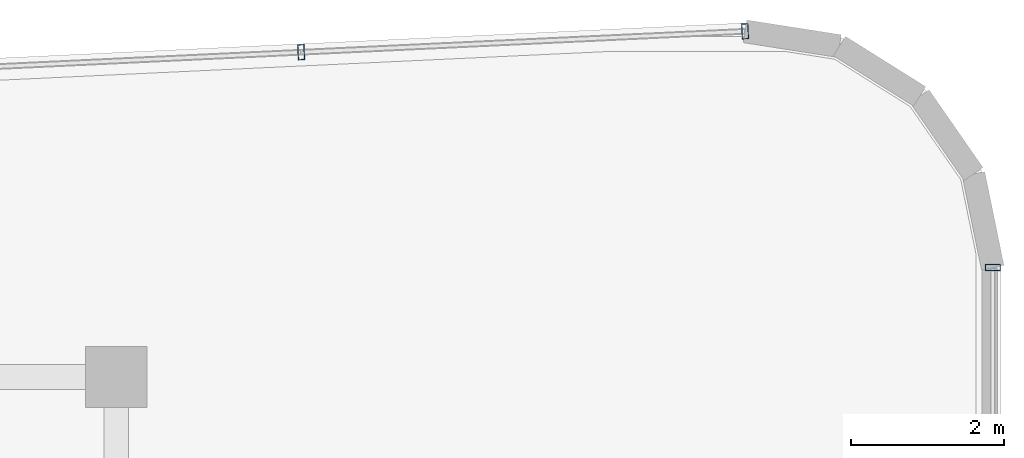
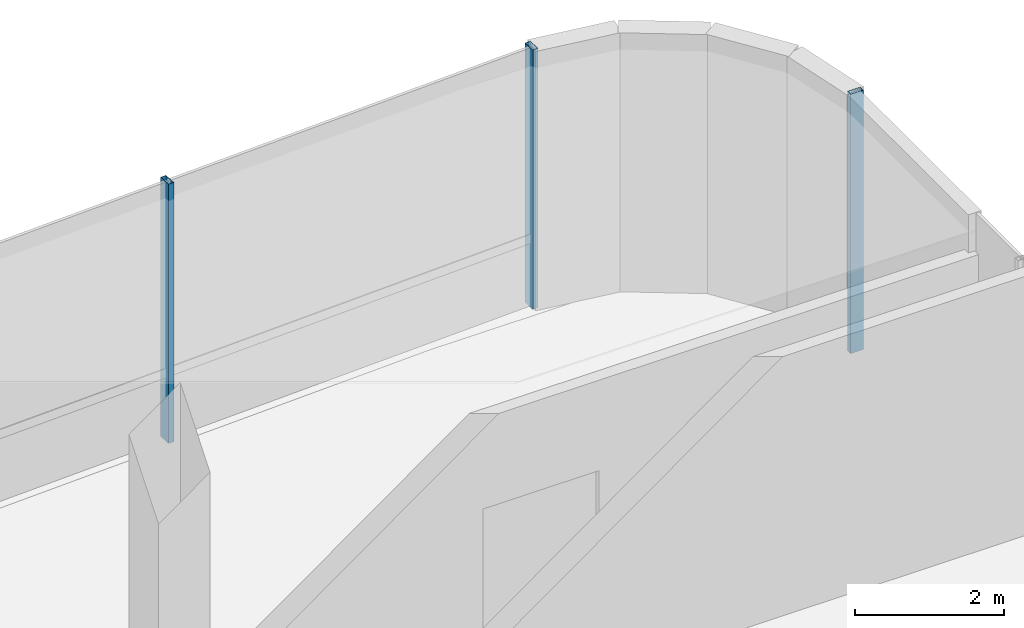
# One storey, part 14 of 19: 3 members, 2 elements without a shape of their own.
"""IFC4 building model written with IfcOpenShell, lengths in metres."""

from ifc_helpers import new_model, si_unit, direction, frame, origin, origin_2d, place, context, subcontext, project, spatial, hollow_rectangle, extrude, source, transform, mapped, material, material_profile, profile_set, type_object, element, aggregate, save


model = new_model("IFC4")

# Units and contexts
model_context = context("Model", 3, precision=1e-05, world=origin(), true_north=direction((0.0, 1.0)))
body_context = subcontext(model_context, "Body", "Model", "MODEL_VIEW")
ifc_project = project(units=[si_unit("LENGTHUNIT", "METRE"), si_unit("AREAUNIT", "SQUARE_METRE"), si_unit("VOLUMEUNIT", "CUBIC_METRE"), si_unit("PLANEANGLEUNIT", "RADIAN"), si_unit("MASSUNIT", "GRAM", prefix="KILO")], contexts=[model_context])

# Site, building, storey
site_placement = place(None, origin())
site = spatial("IfcSite", under=ifc_project, at=site_placement, CompositionType="ELEMENT")
building_placement = place(site_placement, origin())
building = spatial("IfcBuilding", under=site, at=building_placement, Name="Valdorenza Pilgrim Sanctuary Tower", CompositionType="ELEMENT")
storey_placement = place(building_placement, frame((0.0, 0.0, 261.5)))
storey = spatial("IfcBuildingStorey", under=building, at=storey_placement, Name="L68", CompositionType="ELEMENT", Elevation=261.5)

# Curtain wall, members
ifc_material_1 = material(Name="Curtain-wall IGU glazing", Category="glass")
curtain_wall_type = type_object("IfcCurtainWallType", Name="CW-SYS-02", PredefinedType="NOTDEFINED", material=ifc_material_1)
curtain_wall_1_placement = place(storey_placement, origin())
curtain_wall_1 = element("IfcCurtainWall", 1, at=curtain_wall_1_placement, inside=storey, type_object=curtain_wall_type, Name="L68 Curtain Wall CW-L68-1-6", PredefinedType="NOTDEFINED")
ifc_material_2 = material(Name="Anodised aluminium AW-6060", Category="aluminium")
ifc_material_profile = material_profile(ifc_material_2, hollow_rectangle(XDim=0.0849609375, YDim=0.199951171875, WallThickness=0.0048828125, at=origin_2d()), Name="ALU-M 200x85x5")
ifc_profile_set = profile_set([ifc_material_profile], Name="Anodised aluminium AW-6060")
member_type = type_object("IfcMemberType", Name="CW-MUL-02", PredefinedType="MULLION", material=ifc_profile_set)
shared_shape = source(origin(), body_context, "Body", "SweptSolid", [
    extrude(hollow_rectangle(XDim=0.0849609375, YDim=0.199951171875, WallThickness=0.0048828125, at=origin_2d()), origin(), (0.0, 0.0, 1.0), 4.260009765625),
])
member_1_placement = place(storey_placement, frame((-9.976318359375, 19.057373046875, 0.0), z_axis=(0.0, 0.0, 1.0), x_axis=(0.998890696972, 0.047089016785, 0.0)))
member_1 = element("IfcMember", 2, at=member_1_placement, type_object=member_type, Name="CW-L68-1-6 Mullion 4", PredefinedType="MULLION", context=body_context, shape_type="MappedRepresentation", body=[
    mapped(shared_shape, transform((0.0, 0.0, 0.0), x_axis=(1.0, 0.0, 0.0), y_axis=(0.0, 1.0, 0.0), z_axis=(0.0, 0.0, 1.0), scale=1.0)),
])
member_2_placement = place(storey_placement, frame((-4.15673828125, 19.331787109375, 0.0), z_axis=(0.0, 0.0, 1.0), x_axis=(0.998890696972, 0.047089016785, 0.0)))
member_2 = element("IfcMember", 3, at=member_2_placement, type_object=member_type, Name="CW-L68-1-6 Mullion 5", PredefinedType="MULLION", context=body_context, shape_type="MappedRepresentation", body=[
    mapped(shared_shape, transform((0.0, 0.0, 0.0), x_axis=(1.0, 0.0, 0.0), y_axis=(0.0, 1.0, 0.0), z_axis=(0.0, 0.0, 1.0), scale=1.0)),
])
aggregate(curtain_wall_1, [member_1, member_2])

# Curtain wall, member
curtain_wall_2_placement = place(storey_placement, origin())
curtain_wall_2 = element("IfcCurtainWall", 4, at=curtain_wall_2_placement, inside=storey, type_object=curtain_wall_type, Name="L68 Curtain Wall CW-L68-1-11", PredefinedType="NOTDEFINED")
member_3_placement = place(storey_placement, frame((-0.909912109375, 16.234375, 0.0), z_axis=(0.0, 0.0, 1.0), x_axis=(0.0, -1.0, 0.0)))
member_3 = element("IfcMember", 5, at=member_3_placement, type_object=member_type, Name="CW-L68-1-11 Mullion 1", PredefinedType="MULLION", context=body_context, shape_type="MappedRepresentation", body=[
    mapped(shared_shape, transform((0.0, 0.0, 0.0), x_axis=(1.0, 0.0, 0.0), y_axis=(0.0, 1.0, 0.0), z_axis=(0.0, 0.0, 1.0), scale=1.0)),
])
aggregate(curtain_wall_2, [member_3])

save(model, "model.ifc")
